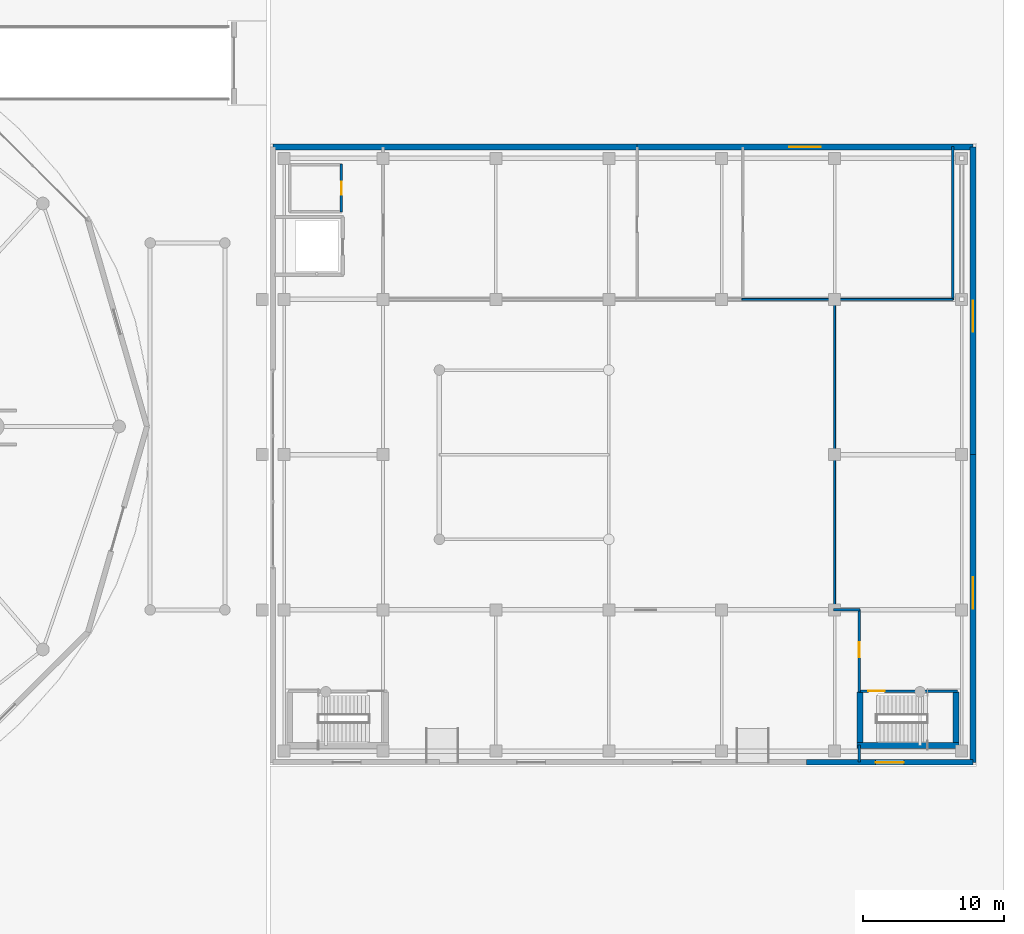
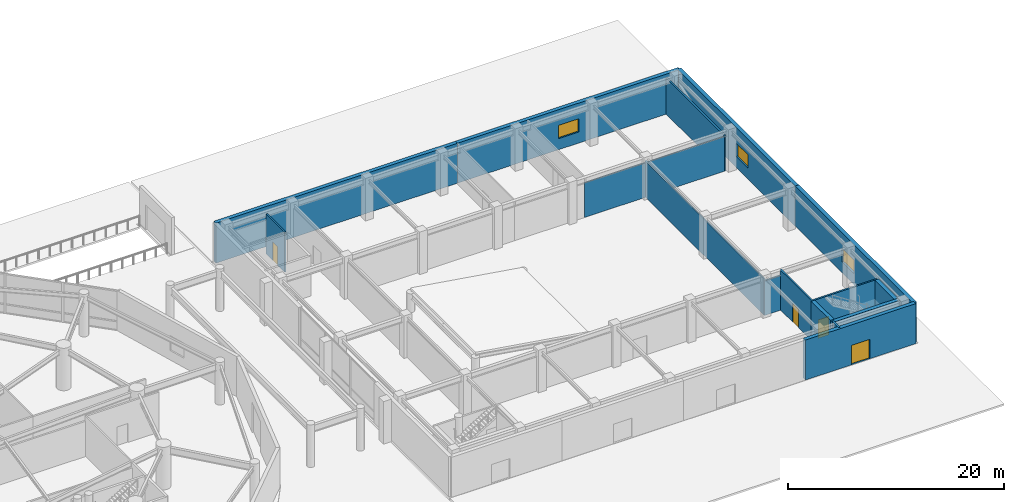
# One storey, part 26 of 35: 17 walls, 4 doors, 3 windows, 7 openings.
"""IFC4 building model written with IfcOpenShell, lengths in metres."""

from ifc_helpers import new_model, si_unit, direction, frame, frame_2d, origin, place, context, subcontext, project, spatial, rectangle, extrude, material, layer, layer_set, type_object, element, fill, save


model = new_model("IFC4")

# Units and contexts
model_context = context("Model", 3, precision=1e-05, world=origin(), true_north=direction((0.0, 1.0)))
body_context = subcontext(model_context, "Body", "Model", "MODEL_VIEW")
ifc_project = project(units=[si_unit("LENGTHUNIT", "METRE"), si_unit("AREAUNIT", "SQUARE_METRE"), si_unit("VOLUMEUNIT", "CUBIC_METRE"), si_unit("PLANEANGLEUNIT", "RADIAN"), si_unit("MASSUNIT", "GRAM", prefix="KILO")], contexts=[model_context])

# Site, building, storey
site_placement = place(None, origin())
site = spatial("IfcSite", under=ifc_project, at=site_placement, CompositionType="ELEMENT")
building_placement = place(site_placement, origin())
building = spatial("IfcBuilding", under=site, at=building_placement, Name="Kazevale Care Tower and Concert Hall", CompositionType="ELEMENT")
storey_placement = place(building_placement, origin())
storey = spatial("IfcBuildingStorey", under=building, at=storey_placement, Name="L00", CompositionType="ELEMENT", Elevation=0.0)

# Walls
ifc_material_1 = material(Name="Acoustic Gypsum on Steel Stud", Category="steel")
ifc_layer_1 = layer(ifc_material_1, 0.139892578125)
ifc_layer_set_1 = layer_set([ifc_layer_1], Name="Acoustic Gypsum on Steel Stud")
wall_type_1 = type_object("IfcWallType", Name="Acoustic Care & Suite Partition 140", PredefinedType="PARTITIONING", material=ifc_layer_set_1)
wall_1_placement = place(storey_placement, frame((129.43505859375, 47.0, 0.0), z_axis=(0.0, 0.0, 1.0), x_axis=(1.0, 0.0, 0.0)))
element("IfcWall", 1, at=wall_1_placement, inside=storey, type_object=wall_type_1, Name="wall:L00:auto_036", PredefinedType="PARTITIONING", context=body_context, shape_type="SweptSolid", body=[
    extrude(rectangle(XDim=6.594970703125, YDim=0.139892578125, at=frame_2d((3.29736328125, 0.0))), origin(), (0.0, 0.0, 1.0), 3.89892578125),
])
wall_2_placement = place(storey_placement, frame((136.0, 47.030029296875, 0.0), z_axis=(0.0, 0.0, 1.0), x_axis=(0.0, -1.0, 0.0)))
element("IfcWall", 2, at=wall_2_placement, inside=storey, type_object=wall_type_1, Name="wall:L00:auto_037", PredefinedType="PARTITIONING", context=body_context, shape_type="SweptSolid", body=[
    extrude(rectangle(XDim=22.06005859375, YDim=0.139892578125, at=frame_2d((11.030029296875, 0.0))), origin(), (0.0, 0.0, 1.0), 4.093017578125),
])
wall_3_placement = place(storey_placement, frame((144.3798828125, 47.0, 0.0), z_axis=(0.0, 0.0, 1.0), x_axis=(-1.0, 0.0, 0.0)))
element("IfcWall", 3, at=wall_3_placement, inside=storey, type_object=wall_type_1, Name="wall:L00:auto_040", PredefinedType="PARTITIONING", context=body_context, shape_type="SweptSolid", body=[
    extrude(rectangle(XDim=8.44482421875, YDim=0.139892578125, at=frame_2d((4.222412109375, 0.0))), origin(), (0.0, 0.0, 1.0), 3.89892578125),
])

# Wall, opening, door
ifc_material_2 = material(Name="Concrete C40 with Honed Limestone Cladding", Category="masonry")
ifc_layer_2 = layer(ifc_material_2, 0.39990234375)
ifc_layer_set_2 = layer_set([ifc_layer_2], Name="Concrete C40 with Honed Limestone Cladding")
wall_type_2 = type_object("IfcWallType", Name="Concert Hall Acoustic Limestone Wall 400", PredefinedType="STANDARD", material=ifc_layer_set_2)
wall_4_placement = place(storey_placement, frame((145.800048828125, 14.199951171875, 0.0), z_axis=(0.0, 0.0, 1.0), x_axis=(-1.0, 0.0, 0.0)))
wall_4 = element("IfcWall", 4, at=wall_4_placement, inside=storey, type_object=wall_type_2, Name="wall:L00:hallew:S4", PredefinedType="STANDARD", context=body_context, shape_type="SweptSolid", body=[
    extrude(rectangle(XDim=11.800048828125, YDim=0.39990234375, at=frame_2d((5.89990234375, 0.0))), origin(), (0.0, 0.0, 1.0), 4.52001953125),
])
opening_1_placement = place(wall_4_placement, frame((4.89990234375, 0.0, 0.0)))
opening_1 = element("IfcOpeningElement", 5, at=opening_1_placement, cuts=wall_4, Name="Opening ED-2000", PredefinedType="OPENING", context=body_context, shape_type="SweptSolid", body=[
    extrude(rectangle(XDim=2.0, YDim=2.199951171875, at=frame_2d((1.0, 1.10009765625))), frame((0.0, 0.2099609375, 0.0), z_axis=(0.0, -1.0, 0.0), x_axis=(1.0, 0.0, 0.0)), (0.0, 0.0, 1.0), 0.419921875),
])
ifc_material_3 = material(Name="Aluminium 6063-T6 and Low-E Glass", Category="aluminium")
door_type_1 = type_object("IfcDoorType", Name="Ground Final Exit Double Door 2000x2200", OperationType="NOTDEFINED", PredefinedType="DOOR", material=ifc_material_3)
door_1_placement = place(opening_1_placement, origin())
door_1 = element("IfcDoor", 6, at=door_1_placement, inside=storey, type_object=door_type_1, Name="door:L00:ED-08", OperationType="DOUBLE_DOOR_SINGLE_SWING", OverallHeight=2.199951171875, OverallWidth=2.0, PredefinedType="DOOR", context=body_context, shape_type="SweptSolid", body=[
    extrude(rectangle(XDim=2.0, YDim=2.199951171875, at=frame_2d((1.0, 1.10009765625))), frame((0.0, 0.02490234375, 0.0), z_axis=(0.0, -1.0, 0.0), x_axis=(1.0, 0.0, 0.0)), (0.0, 0.0, 1.0), 0.050048828125),
])
fill(opening_1, door_1)

# Wall, opening, window
wall_5_placement = place(storey_placement, frame((145.800048828125, 14.199951171875, 0.0), z_axis=(0.0, 0.0, 1.0), x_axis=(0.0, 1.0, 0.0)))
wall_5 = element("IfcWall", 7, at=wall_5_placement, inside=storey, type_object=wall_type_2, Name="wall:L00:hallew:E1", PredefinedType="STANDARD", context=body_context, shape_type="SweptSolid", body=[
    extrude(rectangle(XDim=21.800048828125, YDim=0.39990234375, at=frame_2d((10.89990234375, 0.0))), origin(), (0.0, 0.0, 1.0), 4.52001953125),
])
opening_2_placement = place(wall_5_placement, frame((10.89990234375, 0.0, 1.25)))
opening_2 = element("IfcOpeningElement", 8, at=opening_2_placement, cuts=wall_5, Name="Opening WIN-3", PredefinedType="OPENING", context=body_context, shape_type="SweptSolid", body=[
    extrude(rectangle(XDim=2.199951171875, YDim=1.5, at=frame_2d((1.10009765625, 0.75))), frame((0.0, 0.2099609375, 0.0), z_axis=(0.0, -1.0, 0.0), x_axis=(1.0, 0.0, 0.0)), (0.0, 0.0, 1.0), 0.419921875),
])
ifc_material_4 = material(Name="Low-E Laminated Glass", Category="glass")
window_type = type_object("IfcWindowType", Name="Concert Hall Clerestory Window 2200x1500", PartitioningType="TRIPLE_PANEL_VERTICAL", PredefinedType="WINDOW", material=ifc_material_4)
window_1_placement = place(opening_2_placement, origin())
window_1 = element("IfcWindow", 9, at=window_1_placement, inside=storey, type_object=window_type, Name="win:L00:hall:E1", OverallHeight=1.5, OverallWidth=2.199951171875, PartitioningType="SINGLE_PANEL", PredefinedType="WINDOW", context=body_context, shape_type="SweptSolid", body=[
    extrude(rectangle(XDim=2.199951171875, YDim=1.5, at=frame_2d((1.10009765625, 0.75))), frame((0.0, 0.030029296875, 0.0), z_axis=(0.0, -1.0, 0.0), x_axis=(1.0, 0.0, 0.0)), (0.0, 0.0, 1.0), 0.06005859375),
])
fill(opening_2, window_1)

wall_6_placement = place(storey_placement, frame((145.800048828125, 36.0, 0.0), z_axis=(0.0, 0.0, 1.0), x_axis=(0.0, 1.0, 0.0)))
wall_6 = element("IfcWall", 10, at=wall_6_placement, inside=storey, type_object=wall_type_2, Name="wall:L00:hallew:E2", PredefinedType="STANDARD", context=body_context, shape_type="SweptSolid", body=[
    extrude(rectangle(XDim=21.800048828125, YDim=0.39990234375, at=frame_2d((10.89990234375, 0.0))), origin(), (0.0, 0.0, 1.0), 4.52001953125),
])
opening_3_placement = place(wall_6_placement, frame((8.699951171875, 0.0, 1.25)))
opening_3 = element("IfcOpeningElement", 11, at=opening_3_placement, cuts=wall_6, Name="Opening WIN-3", PredefinedType="OPENING", context=body_context, shape_type="SweptSolid", body=[
    extrude(rectangle(XDim=2.199951171875, YDim=1.5, at=frame_2d((1.10009765625, 0.75))), frame((0.0, 0.2099609375, 0.0), z_axis=(0.0, -1.0, 0.0), x_axis=(1.0, 0.0, 0.0)), (0.0, 0.0, 1.0), 0.419921875),
])
window_2_placement = place(opening_3_placement, origin())
window_2 = element("IfcWindow", 12, at=window_2_placement, inside=storey, type_object=window_type, Name="win:L00:hall:E2", OverallHeight=1.5, OverallWidth=2.199951171875, PartitioningType="SINGLE_PANEL", PredefinedType="WINDOW", context=body_context, shape_type="SweptSolid", body=[
    extrude(rectangle(XDim=2.199951171875, YDim=1.5, at=frame_2d((1.10009765625, 0.75))), frame((0.0, 0.030029296875, 0.0), z_axis=(0.0, -1.0, 0.0), x_axis=(1.0, 0.0, 0.0)), (0.0, 0.0, 1.0), 0.06005859375),
])
fill(opening_3, window_2)

wall_7_placement = place(storey_placement, frame((145.800048828125, 57.800048828125, 0.0), z_axis=(0.0, 0.0, 1.0), x_axis=(-1.0, 0.0, 0.0)))
wall_7 = element("IfcWall", 13, at=wall_7_placement, inside=storey, type_object=wall_type_2, Name="wall:L00:hallew:N1", PredefinedType="STANDARD", context=body_context, shape_type="SweptSolid", body=[
    extrude(rectangle(XDim=23.800048828125, YDim=0.39990234375, at=frame_2d((11.89990234375, 0.0))), origin(), (0.0, 0.0, 1.0), 4.52001953125),
])
opening_4_placement = place(wall_7_placement, frame((10.800048828125, 0.0, 1.25)))
opening_4 = element("IfcOpeningElement", 14, at=opening_4_placement, cuts=wall_7, Name="Opening WIN-3", PredefinedType="OPENING", context=body_context, shape_type="SweptSolid", body=[
    extrude(rectangle(XDim=2.199951171875, YDim=1.5, at=frame_2d((1.10009765625, 0.75))), frame((0.0, 0.2099609375, 0.0), z_axis=(0.0, -1.0, 0.0), x_axis=(1.0, 0.0, 0.0)), (0.0, 0.0, 1.0), 0.419921875),
])
window_3_placement = place(opening_4_placement, origin())
window_3 = element("IfcWindow", 15, at=window_3_placement, inside=storey, type_object=window_type, Name="win:L00:hall:N1", OverallHeight=1.5, OverallWidth=2.199951171875, PartitioningType="SINGLE_PANEL", PredefinedType="WINDOW", context=body_context, shape_type="SweptSolid", body=[
    extrude(rectangle(XDim=2.199951171875, YDim=1.5, at=frame_2d((1.10009765625, 0.75))), frame((0.0, 0.030029296875, 0.0), z_axis=(0.0, -1.0, 0.0), x_axis=(1.0, 0.0, 0.0)), (0.0, 0.0, 1.0), 0.06005859375),
])
fill(opening_4, window_3)

# Walls
wall_8_placement = place(storey_placement, frame((122.0, 57.800048828125, 0.0), z_axis=(0.0, 0.0, 1.0), x_axis=(-1.0, 0.0, 0.0)))
element("IfcWall", 16, at=wall_8_placement, inside=storey, type_object=wall_type_2, Name="wall:L00:hallew:N2", PredefinedType="STANDARD", context=body_context, shape_type="SweptSolid", body=[
    extrude(rectangle(XDim=25.800048828125, YDim=0.39990234375, at=frame_2d((12.89990234375, 0.0))), origin(), (0.0, 0.0, 1.0), 4.52001953125),
])
ifc_material_5 = material(Name="Concrete C50", Category="concrete")
ifc_layer_3 = layer(ifc_material_5, 0.39990234375)
ifc_layer_set_3 = layer_set([ifc_layer_3], Name="Concrete C50")
wall_type_3 = type_object("IfcWallType", Name="Concert Hall Shear Core Wall 400 C50", PredefinedType="SHEAR", material=ifc_layer_set_3)
wall_9_placement = place(storey_placement, frame((137.60009765625, 15.39990234375, 0.0), z_axis=(0.0, 0.0, 1.0), x_axis=(1.0, 0.0, 0.0)))
element("IfcWall", 17, at=wall_9_placement, inside=storey, type_object=wall_type_3, Name="wall:L00:ST5:S", PredefinedType="SHEAR", context=body_context, shape_type="SweptSolid", body=[
    extrude(rectangle(XDim=7.199951171875, YDim=0.39990234375, at=frame_2d((3.60009765625, 0.0))), origin(), (0.0, 0.0, 1.0), 4.52001953125),
])
for number, where, z_axis, x_axis, name in (
    (18, (137.800048828125, 15.60009765625, 0.0), (0.0, 0.0, 1.0), (0.0, 1.0, 0.0), "wall:L00:ST5:W"),
    (19, (144.60009765625, 15.60009765625, 0.0), (0.0, 0.0, 1.0), (0.0, 1.0, 0.0), "wall:L00:ST5:E"),
):
    element("IfcWall", number, at=place(storey_placement, frame(where, z_axis=z_axis, x_axis=x_axis)), inside=storey, type_object=wall_type_3, Name=name, PredefinedType="SHEAR", context=body_context, shape_type="SweptSolid", body=[
        extrude(rectangle(XDim=3.599853515625, YDim=0.39990234375, at=frame_2d((1.7998046875, 0.0))), origin(), (0.0, 0.0, 1.0), 4.52001953125),
    ])

# Wall, opening, door
ifc_material_6 = material(Name="Concrete C40 and Acoustic Gypsum", Category="concrete")
ifc_layer_4 = layer(ifc_material_6, 0.179931640625)
ifc_layer_set_4 = layer_set([ifc_layer_4], Name="Concrete C40 and Acoustic Gypsum")
wall_type_4 = type_object("IfcWallType", Name="Fire-Rated Corridor & Party Wall 180", PredefinedType="PARTITIONING", material=ifc_layer_set_4)
wall_10_placement = place(storey_placement, frame((137.699951171875, 19.25, 0.0), z_axis=(0.0, 0.0, 1.0), x_axis=(1.0, 0.0, 0.0)))
wall_10 = element("IfcWall", 20, at=wall_10_placement, inside=storey, type_object=wall_type_4, Name="wall:L00:hall_st5_n", PredefinedType="PARTITIONING", context=body_context, shape_type="SweptSolid", body=[
    extrude(rectangle(XDim=7.0, YDim=0.179931640625, at=frame_2d((3.5, 0.0))), origin(), (0.0, 0.0, 1.0), 4.52001953125),
])
opening_5_placement = place(wall_10_placement, frame((0.68505859375, 0.0, 0.0)))
opening_5 = element("IfcOpeningElement", 21, at=opening_5_placement, cuts=wall_10, Name="Opening FD-90", PredefinedType="OPENING", context=body_context, shape_type="SweptSolid", body=[
    extrude(rectangle(XDim=1.14990234375, YDim=2.10009765625, at=frame_2d((0.574951171875, 1.050048828125))), frame((0.0, 0.099853515625, 0.0), z_axis=(0.0, -1.0, 0.0), x_axis=(1.0, 0.0, 0.0)), (0.0, 0.0, 1.0), 0.199951171875),
])
ifc_material_7 = material(Name="Steel ASTM A572 Gr 50", Category="steel")
door_type_2 = type_object("IfcDoorType", Name="Pressurized Stair & Lobby Fire Door 1150x2100", OperationType="NOTDEFINED", PredefinedType="DOOR", material=ifc_material_7)
door_2_placement = place(opening_5_placement, origin())
door_2 = element("IfcDoor", 22, at=door_2_placement, inside=storey, type_object=door_type_2, Name="door:L00:hst5", OperationType="SINGLE_SWING_LEFT", OverallHeight=2.10009765625, OverallWidth=1.14990234375, PredefinedType="DOOR", context=body_context, shape_type="SweptSolid", body=[
    extrude(rectangle(XDim=1.14990234375, YDim=2.10009765625, at=frame_2d((0.574951171875, 1.050048828125))), frame((0.0, 0.02490234375, 0.0), z_axis=(0.0, -1.0, 0.0), x_axis=(1.0, 0.0, 0.0)), (0.0, 0.0, 1.0), 0.050048828125),
])
fill(opening_5, door_2)

# Wall
wall_11_placement = place(storey_placement, frame((144.3798828125, 46.949951171875, 0.0), z_axis=(0.0, 0.0, 1.0), x_axis=(0.0, 1.0, 0.0)))
element("IfcWall", 23, at=wall_11_placement, inside=storey, type_object=wall_type_4, Name="wall:L00:hbrace_chase_e", PredefinedType="PARTITIONING", context=body_context, shape_type="SweptSolid", body=[
    extrude(rectangle(XDim=10.900146484375, YDim=0.179931640625, at=frame_2d((5.4501953125, 0.0))), origin(), (0.0, 0.0, 1.0), 4.093017578125),
])

# Wall, opening, door
wall_12_placement = place(storey_placement, frame((137.75, 25.030029296875, 0.0), z_axis=(0.0, 0.0, 1.0), x_axis=(0.0, -1.0, 0.0)))
wall_12 = element("IfcWall", 24, at=wall_12_placement, inside=storey, type_object=wall_type_4, Name="wall:L00:auto_031", PredefinedType="PARTITIONING", context=body_context, shape_type="SweptSolid", body=[
    extrude(rectangle(XDim=5.844970703125, YDim=0.179931640625, at=frame_2d((2.92236328125, 0.0))), origin(), (0.0, 0.0, 1.0), 4.52001953125),
])
opening_6_placement = place(wall_12_placement, frame((2.322021484375, 0.0, 0.0)))
opening_6 = element("IfcOpeningElement", 25, at=opening_6_placement, cuts=wall_12, Name="Opening FD-60", PredefinedType="OPENING", context=body_context, shape_type="SweptSolid", body=[
    extrude(rectangle(XDim=1.050048828125, YDim=2.10009765625, at=frame_2d((0.52490234375, 1.050048828125))), frame((0.0, 0.099853515625, 0.0), z_axis=(0.0, -1.0, 0.0), x_axis=(1.0, 0.0, 0.0)), (0.0, 0.0, 1.0), 0.199951171875),
])
ifc_material_8 = material(Name="Oak Timber Fire Leaf", Category="wood")
door_type_3 = type_object("IfcDoorType", Name="Apartment & Corridor Fire Door 1050x2100", OperationType="NOTDEFINED", PredefinedType="DOOR", material=ifc_material_8)
door_3_placement = place(opening_6_placement, origin())
door_3 = element("IfcDoor", 26, at=door_3_placement, inside=storey, type_object=door_type_3, Name="door:L00:ad_031", OperationType="SINGLE_SWING_LEFT", OverallHeight=2.10009765625, OverallWidth=1.050048828125, PredefinedType="DOOR", context=body_context, shape_type="SweptSolid", body=[
    extrude(rectangle(XDim=1.050048828125, YDim=2.10009765625, at=frame_2d((0.52490234375, 1.050048828125))), frame((0.0, 0.02490234375, 0.0), z_axis=(0.0, -1.0, 0.0), x_axis=(1.0, 0.0, 0.0)), (0.0, 0.0, 1.0), 0.050048828125),
])
fill(opening_6, door_3)

# Walls
wall_13_placement = place(storey_placement, frame((135.93505859375, 25.0, 0.0), z_axis=(0.0, 0.0, 1.0), x_axis=(1.0, 0.0, 0.0)))
element("IfcWall", 27, at=wall_13_placement, inside=storey, type_object=wall_type_4, Name="wall:L00:auto_032", PredefinedType="PARTITIONING", context=body_context, shape_type="SweptSolid", body=[
    extrude(rectangle(XDim=1.844970703125, YDim=0.179931640625, at=frame_2d((0.92236328125, 0.0))), origin(), (0.0, 0.0, 1.0), 3.89892578125),
])
wall_14_placement = place(storey_placement, frame((137.75, 15.4150390625, 0.0), z_axis=(0.0, 0.0, 1.0), x_axis=(0.0, -1.0, 0.0)))
element("IfcWall", 28, at=wall_14_placement, inside=storey, type_object=wall_type_4, Name="wall:L00:auto_033", PredefinedType="PARTITIONING", context=body_context, shape_type="SweptSolid", body=[
    extrude(rectangle(XDim=1.205078125, YDim=0.179931640625, at=frame_2d((0.6025390625, 0.0))), origin(), (0.0, 0.0, 1.0), 4.52001953125),
])

# Wall, opening, door
ifc_layer_5 = layer(ifc_material_1, 0.159912109375)
ifc_layer_set_5 = layer_set([ifc_layer_5], Name="Acoustic Gypsum on Steel Stud")
wall_type_5 = type_object("IfcWallType", Name="Moisture-Resistant Bathroom Plumbing Wall 160", PredefinedType="PLUMBINGWALL", material=ifc_layer_set_5)
wall_15_placement = place(storey_placement, frame((101.050048828125, 53.179931640625, 0.0), z_axis=(0.0, 0.0, 1.0), x_axis=(0.0, 1.0, 0.0)))
wall_15 = element("IfcWall", 29, at=wall_15_placement, inside=storey, type_object=wall_type_5, Name="wall:L00:hall_wc_we", PredefinedType="PLUMBINGWALL", context=body_context, shape_type="SweptSolid", body=[
    extrude(rectangle(XDim=3.41015625, YDim=0.159912109375, at=frame_2d((1.705078125, 0.0))), origin(), (0.0, 0.0, 1.0), 4.52001953125),
])
opening_7_placement = place(wall_15_placement, frame((1.2548828125, 0.0, 0.0)))
opening_7 = element("IfcOpeningElement", 30, at=opening_7_placement, cuts=wall_15, Name="Opening ID-900", PredefinedType="OPENING", context=body_context, shape_type="SweptSolid", body=[
    extrude(rectangle(XDim=0.919921875, YDim=2.10009765625, at=frame_2d((0.4599609375, 1.050048828125))), frame((0.0, 0.08984375, 0.0), z_axis=(0.0, -1.0, 0.0), x_axis=(1.0, 0.0, 0.0)), (0.0, 0.0, 1.0), 0.179931640625),
])
door_type_4 = type_object("IfcDoorType", Name="Bathroom & Service Door 920x2100", OperationType="NOTDEFINED", PredefinedType="DOOR", material=ifc_material_8)
door_4_placement = place(opening_7_placement, origin())
door_4 = element("IfcDoor", 31, at=door_4_placement, inside=storey, type_object=door_type_4, Name="door:L00:hall_wc_d", OperationType="SINGLE_SWING_LEFT", OverallHeight=2.10009765625, OverallWidth=0.919921875, PredefinedType="DOOR", context=body_context, shape_type="SweptSolid", body=[
    extrude(rectangle(XDim=0.919921875, YDim=2.10009765625, at=frame_2d((0.4599609375, 1.050048828125))), frame((0.0, 0.02490234375, 0.0), z_axis=(0.0, -1.0, 0.0), x_axis=(1.0, 0.0, 0.0)), (0.0, 0.0, 1.0), 0.050048828125),
])
fill(opening_7, door_4)

save(model, "model.ifc")
